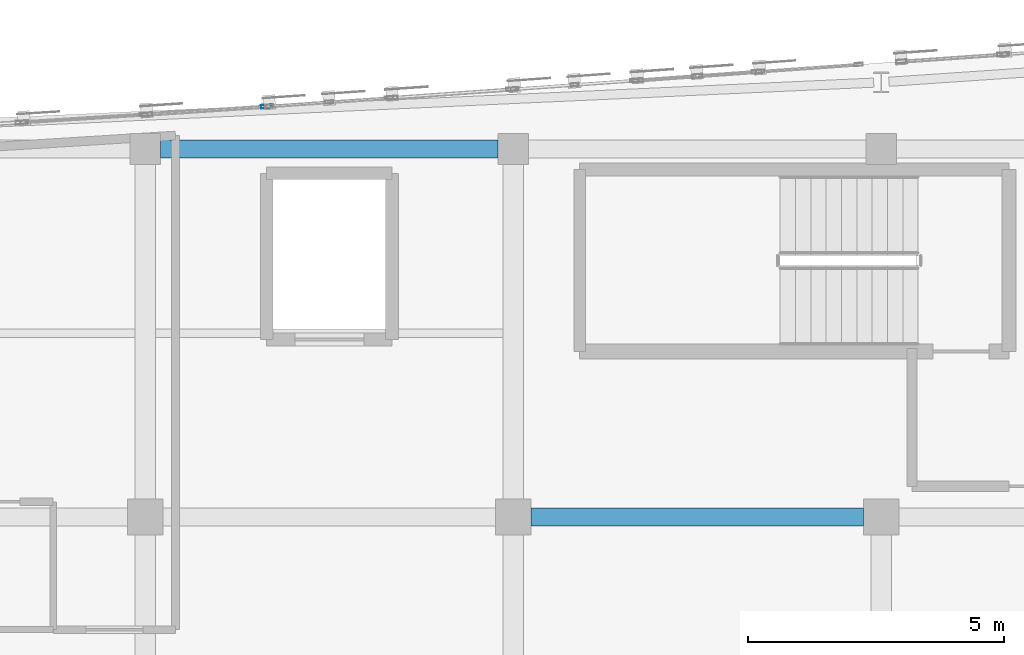
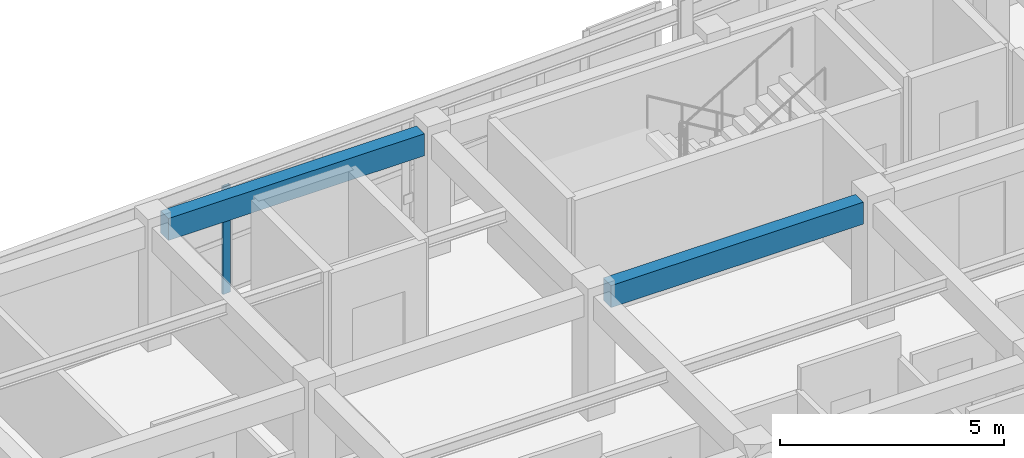
# One storey, part 12 of 73: 2 beams, 1 member, 1 element without a shape of its own.
"""IFC4 building model written with IfcOpenShell, lengths in metres."""

from ifc_helpers import new_model, si_unit, direction, frame, origin, origin_2d, place, context, subcontext, project, spatial, rectangle, hollow_rectangle, extrude, material, layer, layer_set, material_profile, profile_set, type_object, element, aggregate, save


model = new_model("IFC4")

# Units and contexts
model_context = context("Model", 3, precision=1e-05, world=origin(), true_north=direction((0.0, 1.0)))
body_context = subcontext(model_context, "Body", "Model", "MODEL_VIEW")
ifc_project = project(units=[si_unit("LENGTHUNIT", "METRE"), si_unit("AREAUNIT", "SQUARE_METRE"), si_unit("VOLUMEUNIT", "CUBIC_METRE"), si_unit("PLANEANGLEUNIT", "RADIAN"), si_unit("MASSUNIT", "GRAM", prefix="KILO")], contexts=[model_context])

# Site, building, storey
site_placement = place(None, origin())
site = spatial("IfcSite", under=ifc_project, at=site_placement, CompositionType="ELEMENT")
building_placement = place(site_placement, origin())
building = spatial("IfcBuilding", under=site, at=building_placement, Name="Carrowvane Square Congress Hotel", CompositionType="ELEMENT")
storey_placement = place(building_placement, frame((0.0, 0.0, 19.199951171875)))
storey = spatial("IfcBuildingStorey", under=building, at=storey_placement, Name="L04", CompositionType="ELEMENT", Elevation=19.199951171875)

# Beams
ifc_material_1 = material(Name="Concrete C35/45", Category="concrete")
ifc_material_profile_1 = material_profile(ifc_material_1, rectangle(XDim=0.35009765625, YDim=0.60009765625, at=origin_2d()), Name="RC 350x600")
ifc_profile_set_1 = profile_set([ifc_material_profile_1], Name="Concrete C35/45")
beam_type = type_object("IfcBeamType", Name="BM-RC-350x600", PredefinedType="BEAM", material=ifc_profile_set_1)
beam_1_placement = place(storey_placement, frame((55.14990234375, 106.199951171875, 3.050048828125), z_axis=(1.0, 0.0, 0.0), x_axis=(0.0, 1.0, 0.0)))
element("IfcBeam", 1, at=beam_1_placement, inside=storey, type_object=beam_type, Name="L05 girder Q/7-8", PredefinedType="BEAM", context=body_context, shape_type="SweptSolid", body=[
    extrude(rectangle(XDim=0.35009765625, YDim=0.60009765625, at=origin_2d()), origin(), (0.0, 0.0, 1.0), 6.5),
])
beam_2_placement = place(storey_placement, frame((47.89990234375, 113.39990234375, 3.050048828125), z_axis=(1.0, 0.0, 0.0), x_axis=(0.0, 1.0, 0.0)))
element("IfcBeam", 2, at=beam_2_placement, inside=storey, type_object=beam_type, Name="L05 girder R/6-7", PredefinedType="BEAM", context=body_context, shape_type="SweptSolid", body=[
    extrude(rectangle(XDim=0.35009765625, YDim=0.60009765625, at=origin_2d()), origin(), (0.0, 0.0, 1.0), 6.60009765625),
])

# Curtain wall, member
ifc_material_2 = material(Name="Anodised aluminium", Category="aluminium")
ifc_layer = layer(ifc_material_2, 0.197998046875)
ifc_layer_set = layer_set([ifc_layer], Name="Anodised aluminium")
curtain_wall_type = type_object("IfcCurtainWallType", Name="CW-SYS-4", PredefinedType="NOTDEFINED", material=ifc_layer_set)
curtain_wall_placement = place(storey_placement, origin())
curtain_wall = element("IfcCurtainWall", 3, at=curtain_wall_placement, inside=storey, type_object=curtain_wall_type, Name="L04 unitised curtain wall 251", PredefinedType="NOTDEFINED")
ifc_material_3 = material(Name="Anodised aluminium", Category="aluminium")
ifc_material_profile_2 = material_profile(ifc_material_3, hollow_rectangle(XDim=0.070068359375, YDim=0.199951171875, WallThickness=0.0048828125, at=origin_2d()), Name="CW-ML 70x200x5")
ifc_profile_set_2 = profile_set([ifc_material_profile_2], Name="Anodised aluminium")
member_type = type_object("IfcMemberType", Name="CW-MUL-2", PredefinedType="MULLION", material=ifc_profile_set_2)
member_placement = place(storey_placement, frame((49.965087890625, 114.233154296875, 0.0), z_axis=(0.0, 0.0, 1.0), x_axis=(-0.066578061501, 0.99778121937, 0.0)))
member = element("IfcMember", 4, at=member_placement, type_object=member_type, Name="CW-4 mullion 2", PredefinedType="MULLION", context=body_context, shape_type="SweptSolid", body=[
    extrude(hollow_rectangle(XDim=0.070068359375, YDim=0.199951171875, WallThickness=0.0048828125, at=origin_2d()), origin(), (0.0, 0.0, 1.0), 2.925537109375),
])
aggregate(curtain_wall, [member])

save(model, "model.ifc")
